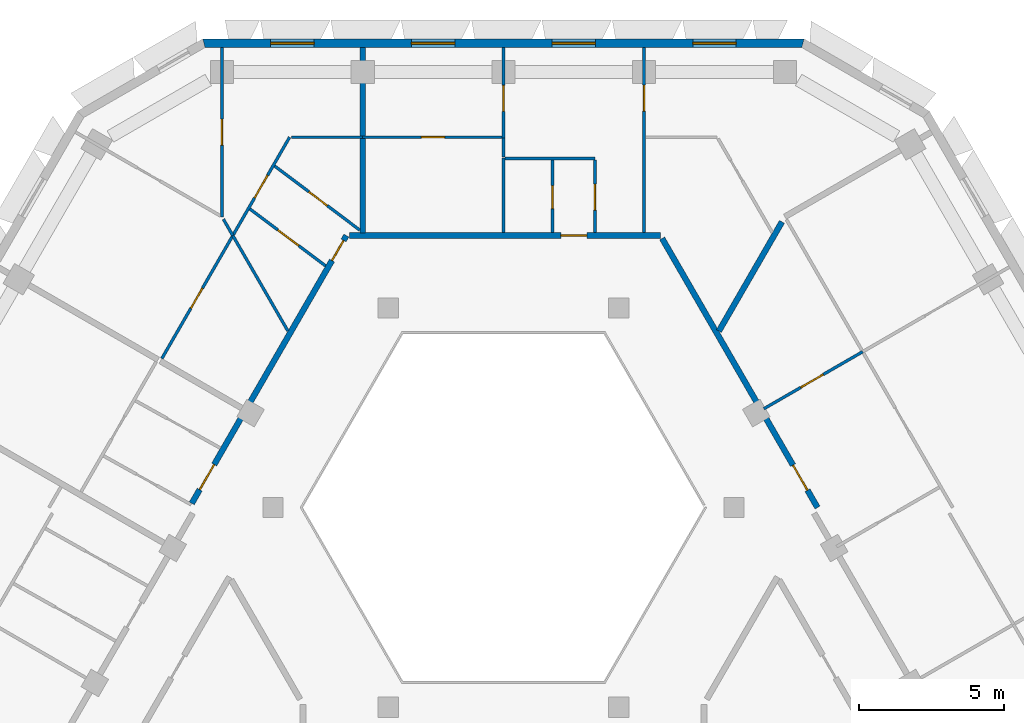
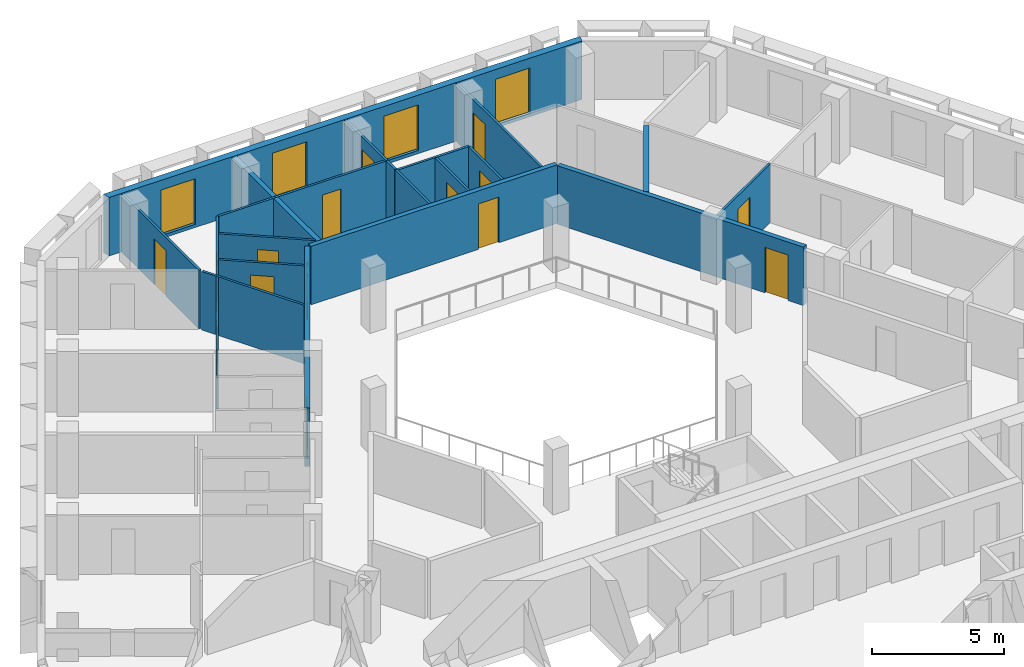
# One storey, part 7 of 15: 22 walls, 15 doors, 4 windows, 19 openings.
"""IFC4 building model written with IfcOpenShell, lengths in metres."""

from ifc_helpers import new_model, si_unit, direction, frame, frame_2d, origin, place, context, subcontext, project, spatial, polyline, rectangle, outline, extrude, material, layer, layer_set, type_object, element, fill, save


model = new_model("IFC4")

# Units and contexts
model_context = context("Model", 3, precision=1e-05, world=origin(), true_north=direction((0.0, 1.0)))
body_context = subcontext(model_context, "Body", "Model", "MODEL_VIEW")
ifc_project = project(units=[si_unit("LENGTHUNIT", "METRE"), si_unit("AREAUNIT", "SQUARE_METRE"), si_unit("VOLUMEUNIT", "CUBIC_METRE"), si_unit("PLANEANGLEUNIT", "RADIAN"), si_unit("MASSUNIT", "GRAM", prefix="KILO")], contexts=[model_context])

# Site, building, storey
site_placement = place(None, origin())
site = spatial("IfcSite", under=ifc_project, at=site_placement, CompositionType="ELEMENT")
building_placement = place(site_placement, origin())
building = spatial("IfcBuilding", under=site, at=building_placement, Name="Beryl Residences", CompositionType="ELEMENT")
storey_placement = place(building_placement, frame((0.0, 0.0, 175.199951171875)))
storey = spatial("IfcBuildingStorey", under=building, at=storey_placement, Name="L53", CompositionType="ELEMENT", Elevation=175.199951171875)

# Wall, openings, windows
ifc_material_1 = material(Name="Composite metal panel with mineral wool insulation")
ifc_layer_1 = layer(ifc_material_1, 0.300048828125)
ifc_layer_set_1 = layer_set([ifc_layer_1], Name="ES1 pale metal composite panel wall 300 mm")
wall_type_1 = type_object("IfcWallType", Name="ES1 pale metal composite panel wall 300 mm", PredefinedType="SOLIDWALL", material=ifc_layer_set_1)
wall_1_placement = place(storey_placement, frame((10.39208984375, 24.050048828125, 0.0), z_axis=(0.0, 0.0, 1.0), x_axis=(-1.0, 0.0, 0.0)))
wall_1 = element("IfcWall", 1, at=wall_1_placement, inside=storey, type_object=wall_type_1, Name="ES1 external wall L53 N", PredefinedType="SOLIDWALL", context=body_context, shape_type="SweptSolid", body=[
    extrude(outline(polyline([(0.0, -0.14990234375), (20.7841796875, -0.14990234375), (20.703857421875, 0.14990234375), (0.080322265625, 0.14990234375), (0.0, -0.14990234375)])), origin(), (0.0, 0.0, 1.0), 2.699951171875),
])
opening_1_placement = place(wall_1_placement, frame((2.345947265625, 0.0, 0.14990234375)))
opening_1 = element("IfcOpeningElement", 2, at=opening_1_placement, cuts=wall_1, Name="Opening W1", PredefinedType="OPENING", context=body_context, shape_type="SweptSolid", body=[
    extrude(rectangle(XDim=1.5, YDim=2.10009765625, at=frame_2d((0.75, 1.050048828125))), frame((0.0, 0.159912109375, 0.0), z_axis=(0.0, -1.0, 0.0), x_axis=(1.0, 0.0, 0.0)), (0.0, 0.0, 1.0), 0.320068359375),
])
opening_2_placement = place(wall_1_placement, frame((7.2099609375, 0.0, 0.14990234375)))
opening_2 = element("IfcOpeningElement", 3, at=opening_2_placement, cuts=wall_1, Name="Opening W1", PredefinedType="OPENING", context=body_context, shape_type="SweptSolid", body=[
    extrude(rectangle(XDim=1.5, YDim=2.10009765625, at=frame_2d((0.75, 1.050048828125))), frame((0.0, 0.159912109375, 0.0), z_axis=(0.0, -1.0, 0.0), x_axis=(1.0, 0.0, 0.0)), (0.0, 0.0, 1.0), 0.320068359375),
])
opening_3_placement = place(wall_1_placement, frame((12.073974609375, 0.0, 0.14990234375)))
opening_3 = element("IfcOpeningElement", 4, at=opening_3_placement, cuts=wall_1, Name="Opening W1", PredefinedType="OPENING", context=body_context, shape_type="SweptSolid", body=[
    extrude(rectangle(XDim=1.5, YDim=2.10009765625, at=frame_2d((0.75, 1.050048828125))), frame((0.0, 0.159912109375, 0.0), z_axis=(0.0, -1.0, 0.0), x_axis=(1.0, 0.0, 0.0)), (0.0, 0.0, 1.0), 0.320068359375),
])
opening_4_placement = place(wall_1_placement, frame((16.93798828125, 0.0, 0.14990234375)))
opening_4 = element("IfcOpeningElement", 5, at=opening_4_placement, cuts=wall_1, Name="Opening W1", PredefinedType="OPENING", context=body_context, shape_type="SweptSolid", body=[
    extrude(rectangle(XDim=1.5, YDim=2.10009765625, at=frame_2d((0.75, 1.050048828125))), frame((0.0, 0.159912109375, 0.0), z_axis=(0.0, -1.0, 0.0), x_axis=(1.0, 0.0, 0.0)), (0.0, 0.0, 1.0), 0.320068359375),
])
ifc_material_2 = material(Name="Aluminium and clear glass", Category="aluminium")
window_type = type_object("IfcWindowType", Name="W1 cell window 1500 x 2100 mm", PartitioningType="SINGLE_PANEL", PredefinedType="WINDOW", material=ifc_material_2)
window_1_placement = place(opening_1_placement, origin())
window_1 = element("IfcWindow", 6, at=window_1_placement, inside=storey, type_object=window_type, Name="W1 window L53 N 2", OverallHeight=2.10009765625, OverallWidth=1.5, PartitioningType="SINGLE_PANEL", PredefinedType="WINDOW", context=body_context, shape_type="SweptSolid", body=[
    extrude(rectangle(XDim=1.5, YDim=2.10009765625, at=frame_2d((0.75, 1.050048828125))), frame((0.0, 0.030029296875, 0.0), z_axis=(0.0, -1.0, 0.0), x_axis=(1.0, 0.0, 0.0)), (0.0, 0.0, 1.0), 0.06005859375),
])
fill(opening_1, window_1)
window_2_placement = place(opening_2_placement, origin())
window_2 = element("IfcWindow", 7, at=window_2_placement, inside=storey, type_object=window_type, Name="W1 window L53 N 4", OverallHeight=2.10009765625, OverallWidth=1.5, PartitioningType="SINGLE_PANEL", PredefinedType="WINDOW", context=body_context, shape_type="SweptSolid", body=[
    extrude(rectangle(XDim=1.5, YDim=2.10009765625, at=frame_2d((0.75, 1.050048828125))), frame((0.0, 0.030029296875, 0.0), z_axis=(0.0, -1.0, 0.0), x_axis=(1.0, 0.0, 0.0)), (0.0, 0.0, 1.0), 0.06005859375),
])
fill(opening_2, window_2)
window_3_placement = place(opening_3_placement, origin())
window_3 = element("IfcWindow", 8, at=window_3_placement, inside=storey, type_object=window_type, Name="W1 window L53 N 6", OverallHeight=2.10009765625, OverallWidth=1.5, PartitioningType="SINGLE_PANEL", PredefinedType="WINDOW", context=body_context, shape_type="SweptSolid", body=[
    extrude(rectangle(XDim=1.5, YDim=2.10009765625, at=frame_2d((0.75, 1.050048828125))), frame((0.0, 0.030029296875, 0.0), z_axis=(0.0, -1.0, 0.0), x_axis=(1.0, 0.0, 0.0)), (0.0, 0.0, 1.0), 0.06005859375),
])
fill(opening_3, window_3)
window_4_placement = place(opening_4_placement, origin())
window_4 = element("IfcWindow", 9, at=window_4_placement, inside=storey, type_object=window_type, Name="W1 window L53 N 8", OverallHeight=2.10009765625, OverallWidth=1.5, PartitioningType="SINGLE_PANEL", PredefinedType="WINDOW", context=body_context, shape_type="SweptSolid", body=[
    extrude(rectangle(XDim=1.5, YDim=2.10009765625, at=frame_2d((0.75, 1.050048828125))), frame((0.0, 0.030029296875, 0.0), z_axis=(0.0, -1.0, 0.0), x_axis=(1.0, 0.0, 0.0)), (0.0, 0.0, 1.0), 0.06005859375),
])
fill(opening_4, window_4)

# Walls
ifc_material_3 = material(Name="Gypsum board partition on steel studs", Category="steel")
ifc_layer_2 = layer(ifc_material_3, 0.10009765625)
ifc_layer_set_2 = layer_set([ifc_layer_2], Name="PT1 partition 100 mm gypsum board on steel studs")
wall_type_2 = type_object("IfcWallType", Name="PT1 partition 100 mm gypsum board on steel studs", PredefinedType="PARTITIONING", material=ifc_layer_set_2)
wall_2_placement = place(storey_placement, frame((-9.677978515625, 17.964111328125, 0.0), z_axis=(0.0, 0.0, 1.0), x_axis=(0.500208928872, -0.865904745036, 0.0)))
element("IfcWall", 10, at=wall_2_placement, inside=storey, type_object=wall_type_2, Name="Wall PT1 L53 001", PredefinedType="PARTITIONING", context=body_context, shape_type="SweptSolid", body=[
    extrude(rectangle(XDim=0.651611328125, YDim=0.10009765625, at=frame_2d((0.32568359375, 0.0))), origin(), (0.0, 0.0, 1.0), 2.699951171875),
])
wall_3_placement = place(storey_placement, frame((0.0, 20.76904296875, 0.0), z_axis=(0.0, 0.0, 1.0), x_axis=(0.0, -1.0, 0.0)))
element("IfcWall", 11, at=wall_3_placement, inside=storey, type_object=wall_type_2, Name="Wall PT1 L53 006", PredefinedType="PARTITIONING", context=body_context, shape_type="SweptSolid", body=[
    extrude(rectangle(XDim=0.658935546875, YDim=0.10009765625, at=frame_2d((0.32958984375, 0.0))), origin(), (0.0, 0.0, 1.0), 2.699951171875),
])

# Wall, opening, door
wall_4_placement = place(storey_placement, frame((3.162109375, 20.009033203125, 0.0), z_axis=(0.0, 0.0, 1.0), x_axis=(0.0, -1.0, 0.0)))
wall_4 = element("IfcWall", 12, at=wall_4_placement, inside=storey, type_object=wall_type_2, Name="Wall PT1 L53 007", PredefinedType="PARTITIONING", context=body_context, shape_type="SweptSolid", body=[
    extrude(rectangle(XDim=2.509033203125, YDim=0.10009765625, at=frame_2d((1.25439453125, 0.0))), origin(), (0.0, 0.0, 1.0), 2.699951171875),
])
opening_5_placement = place(wall_4_placement, frame((0.8291015625, 0.0, 0.0)))
opening_5 = element("IfcOpeningElement", 13, at=opening_5_placement, cuts=wall_4, Name="Opening D1625", PredefinedType="OPENING", context=body_context, shape_type="SweptSolid", body=[
    extrude(rectangle(XDim=0.89990234375, YDim=2.10009765625, at=frame_2d((0.449951171875, 1.050048828125))), frame((0.0, 0.06005859375, 0.0), z_axis=(0.0, -1.0, 0.0), x_axis=(1.0, 0.0, 0.0)), (0.0, 0.0, 1.0), 0.1201171875),
])
ifc_material_4 = material(Name="Timber door leaf", Category="wood")
door_type_1 = type_object("IfcDoorType", Name="D2 room door 900 x 2100 mm", OperationType="SINGLE_SWING_LEFT", PredefinedType="DOOR", material=ifc_material_4)
door_1_placement = place(opening_5_placement, origin())
door_1 = element("IfcDoor", 14, at=door_1_placement, inside=storey, type_object=door_type_1, Name="Door D1625 L53 001", OperationType="SINGLE_SWING_LEFT", OverallHeight=2.10009765625, OverallWidth=0.89990234375, PredefinedType="DOOR", context=body_context, shape_type="SweptSolid", body=[
    extrude(rectangle(XDim=0.89990234375, YDim=2.10009765625, at=frame_2d((0.449951171875, 1.050048828125))), frame((0.0, 0.02490234375, 0.0), z_axis=(0.0, -1.0, 0.0), x_axis=(1.0, 0.0, 0.0)), (0.0, 0.0, 1.0), 0.050048828125),
])
fill(opening_5, door_1)

wall_5_placement = place(storey_placement, frame((-8.762939453125, 18.321044921875, 0.0), z_axis=(0.0, 0.0, 1.0), x_axis=(0.798861914713, -0.601514456369, 0.0)))
wall_5 = element("IfcWall", 15, at=wall_5_placement, inside=storey, type_object=wall_type_2, Name="Wall PT1 L53 015", PredefinedType="PARTITIONING", context=body_context, shape_type="SweptSolid", body=[
    extrude(rectangle(XDim=3.2734375, YDim=0.10009765625, at=frame_2d((1.63671875, 0.0))), origin(), (0.0, 0.0, 1.0), 2.699951171875),
])
opening_6_placement = place(wall_5_placement, frame((1.2119140625, 0.0, 0.0)))
opening_6 = element("IfcOpeningElement", 16, at=opening_6_placement, cuts=wall_5, Name="Opening D1633", PredefinedType="OPENING", context=body_context, shape_type="SweptSolid", body=[
    extrude(rectangle(XDim=0.89990234375, YDim=2.10009765625, at=frame_2d((0.449951171875, 1.050048828125))), frame((0.0, 0.06005859375, 0.0), z_axis=(0.0, -1.0, 0.0), x_axis=(1.0, 0.0, 0.0)), (0.0, 0.0, 1.0), 0.1201171875),
])
door_2_placement = place(opening_6_placement, origin())
door_2 = element("IfcDoor", 17, at=door_2_placement, inside=storey, type_object=door_type_1, Name="Door D1633 L53 001", OperationType="SINGLE_SWING_LEFT", OverallHeight=2.10009765625, OverallWidth=0.89990234375, PredefinedType="DOOR", context=body_context, shape_type="SweptSolid", body=[
    extrude(rectangle(XDim=0.89990234375, YDim=2.10009765625, at=frame_2d((0.449951171875, 1.050048828125))), frame((0.0, 0.02490234375, 0.0), z_axis=(0.0, -1.0, 0.0), x_axis=(1.0, 0.0, 0.0)), (0.0, 0.0, 1.0), 0.050048828125),
])
fill(opening_6, door_2)

wall_6_placement = place(storey_placement, frame((-7.906005859375, 19.803955078125, 0.0), z_axis=(0.0, 0.0, 1.0), x_axis=(0.798741470056, -0.60167438371, 0.0)))
wall_6 = element("IfcWall", 18, at=wall_6_placement, inside=storey, type_object=wall_type_2, Name="Wall PT1 L53 016", PredefinedType="PARTITIONING", context=body_context, shape_type="SweptSolid", body=[
    extrude(rectangle(XDim=3.68310546875, YDim=0.10009765625, at=frame_2d((1.841552734375, 0.0))), origin(), (0.0, 0.0, 1.0), 2.699951171875),
])
opening_7_placement = place(wall_6_placement, frame((1.47900390625, 0.0, 0.0)))
opening_7 = element("IfcOpeningElement", 19, at=opening_7_placement, cuts=wall_6, Name="Opening D1632", PredefinedType="OPENING", context=body_context, shape_type="SweptSolid", body=[
    extrude(rectangle(XDim=0.800048828125, YDim=2.10009765625, at=frame_2d((0.39990234375, 1.050048828125))), frame((0.0, 0.06005859375, 0.0), z_axis=(0.0, -1.0, 0.0), x_axis=(1.0, 0.0, 0.0)), (0.0, 0.0, 1.0), 0.1201171875),
])
ifc_material_5 = material(Name="Timber door leaf", Category="wood")
door_type_2 = type_object("IfcDoorType", Name="D3 bathroom door 800 x 2100 mm", OperationType="SINGLE_SWING_LEFT", PredefinedType="DOOR", material=ifc_material_5)
door_3_placement = place(opening_7_placement, origin())
door_3 = element("IfcDoor", 20, at=door_3_placement, inside=storey, type_object=door_type_2, Name="Door D1632 L53 001", OperationType="SINGLE_SWING_RIGHT", OverallHeight=2.10009765625, OverallWidth=0.800048828125, PredefinedType="DOOR", context=body_context, shape_type="SweptSolid", body=[
    extrude(rectangle(XDim=0.800048828125, YDim=2.10009765625, at=frame_2d((0.39990234375, 1.050048828125))), frame((0.0, 0.02490234375, 0.0), z_axis=(0.0, -1.0, 0.0), x_axis=(1.0, 0.0, 0.0)), (0.0, 0.0, 1.0), 0.050048828125),
])
fill(opening_7, door_3)

# Walls
wall_7_placement = place(storey_placement, frame((0.050048828125, 20.06005859375, 0.0), z_axis=(0.0, 0.0, 1.0), x_axis=(1.0, 0.0, 0.0)))
element("IfcWall", 21, at=wall_7_placement, inside=storey, type_object=wall_type_2, Name="Wall PT1 L53 022", PredefinedType="PARTITIONING", context=body_context, shape_type="SweptSolid", body=[
    extrude(rectangle(XDim=3.11083984375, YDim=0.10009765625, at=frame_2d((1.555419921875, 0.0))), origin(), (0.0, 0.0, 1.0), 2.699951171875),
])
wall_8_placement = place(storey_placement, frame((-7.33203125, 20.799072265625, 0.0), z_axis=(0.0, 0.0, 1.0), x_axis=(1.0, 0.0, 0.0)))
element("IfcWall", 22, at=wall_8_placement, inside=storey, type_object=wall_type_2, Name="Wall PT1 L53 023", PredefinedType="PARTITIONING", context=body_context, shape_type="SweptSolid", body=[
    extrude(rectangle(XDim=2.468017578125, YDim=0.10009765625, at=frame_2d((1.23388671875, 0.0))), origin(), (0.0, 0.0, 1.0), 2.699951171875),
])

# Wall, openings, doors
wall_9_placement = place(storey_placement, frame((-11.805908203125, 13.14892578125, 0.0), z_axis=(0.0, 0.0, 1.0), x_axis=(0.499932199895, 0.866064544655, 0.0)))
wall_9 = element("IfcWall", 23, at=wall_9_placement, inside=storey, type_object=wall_type_2, Name="Wall PT1 L53 026", PredefinedType="PARTITIONING", context=body_context, shape_type="SweptSolid", body=[
    extrude(rectangle(XDim=8.833251953125, YDim=0.10009765625, at=frame_2d((4.41650390625, 0.0))), origin(), (0.0, 0.0, 1.0), 2.699951171875),
])
opening_8_placement = place(wall_9_placement, frame((6.4130859375, 0.0, 0.0)))
opening_8 = element("IfcOpeningElement", 24, at=opening_8_placement, cuts=wall_9, Name="Opening D1634", PredefinedType="OPENING", context=body_context, shape_type="SweptSolid", body=[
    extrude(rectangle(XDim=0.89990234375, YDim=2.10009765625, at=frame_2d((0.449951171875, 1.050048828125))), frame((0.0, 0.06005859375, 0.0), z_axis=(0.0, -1.0, 0.0), x_axis=(1.0, 0.0, 0.0)), (0.0, 0.0, 1.0), 0.1201171875),
])
opening_9_placement = place(wall_9_placement, frame((2.00390625, 0.0, 0.0)))
opening_9 = element("IfcOpeningElement", 25, at=opening_9_placement, cuts=wall_9, Name="Opening D1637", PredefinedType="OPENING", context=body_context, shape_type="SweptSolid", body=[
    extrude(rectangle(XDim=0.800048828125, YDim=2.10009765625, at=frame_2d((0.39990234375, 1.050048828125))), frame((0.0, 0.06005859375, 0.0), z_axis=(0.0, -1.0, 0.0), x_axis=(1.0, 0.0, 0.0)), (0.0, 0.0, 1.0), 0.1201171875),
])
door_4_placement = place(opening_8_placement, origin())
door_4 = element("IfcDoor", 26, at=door_4_placement, inside=storey, type_object=door_type_1, Name="Door D1634 L53 001", OperationType="SINGLE_SWING_RIGHT", OverallHeight=2.10009765625, OverallWidth=0.89990234375, PredefinedType="DOOR", context=body_context, shape_type="SweptSolid", body=[
    extrude(rectangle(XDim=0.89990234375, YDim=2.10009765625, at=frame_2d((0.449951171875, 1.050048828125))), frame((0.0, 0.02490234375, 0.0), z_axis=(0.0, -1.0, 0.0), x_axis=(1.0, 0.0, 0.0)), (0.0, 0.0, 1.0), 0.050048828125),
])
fill(opening_8, door_4)
door_5_placement = place(opening_9_placement, origin())
door_5 = element("IfcDoor", 27, at=door_5_placement, inside=storey, type_object=door_type_2, Name="Door D1637 L53 001", OperationType="SINGLE_SWING_LEFT", OverallHeight=2.10009765625, OverallWidth=0.800048828125, PredefinedType="DOOR", context=body_context, shape_type="SweptSolid", body=[
    extrude(rectangle(XDim=0.800048828125, YDim=2.10009765625, at=frame_2d((0.39990234375, 1.050048828125))), frame((0.0, 0.02490234375, 0.0), z_axis=(0.0, -1.0, 0.0), x_axis=(1.0, 0.0, 0.0)), (0.0, 0.0, 1.0), 0.050048828125),
])
fill(opening_9, door_5)

# Wall, opening, door
wall_10_placement = place(storey_placement, frame((4.864013671875, 17.5, 0.0), z_axis=(0.0, 0.0, 1.0), x_axis=(0.0, 1.0, 0.0)))
wall_10 = element("IfcWall", 28, at=wall_10_placement, inside=storey, type_object=wall_type_2, Name="Wall PT1 L53 031", PredefinedType="PARTITIONING", context=body_context, shape_type="SweptSolid", body=[
    extrude(rectangle(XDim=6.39990234375, YDim=0.10009765625, at=frame_2d((3.199951171875, 0.0))), origin(), (0.0, 0.0, 1.0), 2.699951171875),
])
opening_10_placement = place(wall_10_placement, frame((4.199951171875, 0.0, 0.0)))
opening_10 = element("IfcOpeningElement", 29, at=opening_10_placement, cuts=wall_10, Name="Opening D1628", PredefinedType="OPENING", context=body_context, shape_type="SweptSolid", body=[
    extrude(rectangle(XDim=0.89990234375, YDim=2.10009765625, at=frame_2d((0.449951171875, 1.050048828125))), frame((0.0, 0.06005859375, 0.0), z_axis=(0.0, -1.0, 0.0), x_axis=(1.0, 0.0, 0.0)), (0.0, 0.0, 1.0), 0.1201171875),
])
door_6_placement = place(opening_10_placement, origin())
door_6 = element("IfcDoor", 30, at=door_6_placement, inside=storey, type_object=door_type_1, Name="Door D1628 L53 001", OperationType="SINGLE_SWING_RIGHT", OverallHeight=2.10009765625, OverallWidth=0.89990234375, PredefinedType="DOOR", context=body_context, shape_type="SweptSolid", body=[
    extrude(rectangle(XDim=0.89990234375, YDim=2.10009765625, at=frame_2d((0.449951171875, 1.050048828125))), frame((0.0, 0.02490234375, 0.0), z_axis=(0.0, -1.0, 0.0), x_axis=(1.0, 0.0, 0.0)), (0.0, 0.0, 1.0), 0.050048828125),
])
fill(opening_10, door_6)

wall_11_placement = place(storey_placement, frame((1.701904296875, 17.5, 0.0), z_axis=(0.0, 0.0, 1.0), x_axis=(0.0, 1.0, 0.0)))
wall_11 = element("IfcWall", 31, at=wall_11_placement, inside=storey, type_object=wall_type_2, Name="Wall PT1 L53 032", PredefinedType="PARTITIONING", context=body_context, shape_type="SweptSolid", body=[
    extrude(rectangle(XDim=2.510009765625, YDim=0.10009765625, at=frame_2d((1.2548828125, 0.0))), origin(), (0.0, 0.0, 1.0), 2.699951171875),
])
opening_11_placement = place(wall_11_placement, frame((0.830078125, 0.0, 0.0)))
opening_11 = element("IfcOpeningElement", 32, at=opening_11_placement, cuts=wall_11, Name="Opening D1626", PredefinedType="OPENING", context=body_context, shape_type="SweptSolid", body=[
    extrude(rectangle(XDim=0.800048828125, YDim=2.10009765625, at=frame_2d((0.39990234375, 1.050048828125))), frame((0.0, 0.06005859375, 0.0), z_axis=(0.0, -1.0, 0.0), x_axis=(1.0, 0.0, 0.0)), (0.0, 0.0, 1.0), 0.1201171875),
])
door_7_placement = place(opening_11_placement, origin())
door_7 = element("IfcDoor", 33, at=door_7_placement, inside=storey, type_object=door_type_2, Name="Door D1626 L53 001", OperationType="SINGLE_SWING_RIGHT", OverallHeight=2.10009765625, OverallWidth=0.800048828125, PredefinedType="DOOR", context=body_context, shape_type="SweptSolid", body=[
    extrude(rectangle(XDim=0.800048828125, YDim=2.10009765625, at=frame_2d((0.39990234375, 1.050048828125))), frame((0.0, 0.02490234375, 0.0), z_axis=(0.0, -1.0, 0.0), x_axis=(1.0, 0.0, 0.0)), (0.0, 0.0, 1.0), 0.050048828125),
])
fill(opening_11, door_7)

# Wall
wall_12_placement = place(storey_placement, frame((0.0, 17.5, 0.0), z_axis=(0.0, 0.0, 1.0), x_axis=(0.0, 1.0, 0.0)))
element("IfcWall", 34, at=wall_12_placement, inside=storey, type_object=wall_type_2, Name="Wall PT1 L53 036", PredefinedType="PARTITIONING", context=body_context, shape_type="SweptSolid", body=[
    extrude(rectangle(XDim=2.580078125, YDim=0.10009765625, at=frame_2d((1.2900390625, 0.0))), origin(), (0.0, 0.0, 1.0), 2.699951171875),
])

# Wall, opening, door
wall_13_placement = place(storey_placement, frame((0.0, 20.779052734375, 0.0), z_axis=(0.0, 0.0, 1.0), x_axis=(0.0, 1.0, 0.0)))
wall_13 = element("IfcWall", 35, at=wall_13_placement, inside=storey, type_object=wall_type_2, Name="Wall PT1 L53 037", PredefinedType="PARTITIONING", context=body_context, shape_type="SweptSolid", body=[
    extrude(rectangle(XDim=3.120849609375, YDim=0.10009765625, at=frame_2d((1.560546875, 0.0))), origin(), (0.0, 0.0, 1.0), 2.699951171875),
])
opening_12_placement = place(wall_13_placement, frame((0.909912109375, 0.0, 0.0)))
opening_12 = element("IfcOpeningElement", 36, at=opening_12_placement, cuts=wall_13, Name="Opening D1627", PredefinedType="OPENING", context=body_context, shape_type="SweptSolid", body=[
    extrude(rectangle(XDim=0.89990234375, YDim=2.10009765625, at=frame_2d((0.449951171875, 1.050048828125))), frame((0.0, 0.06005859375, 0.0), z_axis=(0.0, -1.0, 0.0), x_axis=(1.0, 0.0, 0.0)), (0.0, 0.0, 1.0), 0.1201171875),
])
door_8_placement = place(opening_12_placement, origin())
door_8 = element("IfcDoor", 37, at=door_8_placement, inside=storey, type_object=door_type_1, Name="Door D1627 L53 001", OperationType="SINGLE_SWING_LEFT", OverallHeight=2.10009765625, OverallWidth=0.89990234375, PredefinedType="DOOR", context=body_context, shape_type="SweptSolid", body=[
    extrude(rectangle(XDim=0.89990234375, YDim=2.10009765625, at=frame_2d((0.449951171875, 1.050048828125))), frame((0.0, 0.02490234375, 0.0), z_axis=(0.0, -1.0, 0.0), x_axis=(1.0, 0.0, 0.0)), (0.0, 0.0, 1.0), 0.050048828125),
])
fill(opening_12, door_8)

wall_14_placement = place(storey_placement, frame((-9.72802734375, 18.050048828125, 0.0), z_axis=(0.0, 0.0, 1.0), x_axis=(0.0, 1.0, 0.0)))
wall_14 = element("IfcWall", 38, at=wall_14_placement, inside=storey, type_object=wall_type_2, Name="Wall PT1 L53 038", PredefinedType="PARTITIONING", context=body_context, shape_type="SweptSolid", body=[
    extrude(rectangle(XDim=5.849853515625, YDim=0.10009765625, at=frame_2d((2.9248046875, 0.0))), origin(), (0.0, 0.0, 1.0), 2.699951171875),
])
opening_13_placement = place(wall_14_placement, frame((2.47509765625, 0.0, 0.0)))
opening_13 = element("IfcOpeningElement", 39, at=opening_13_placement, cuts=wall_14, Name="Opening D1635", PredefinedType="OPENING", context=body_context, shape_type="SweptSolid", body=[
    extrude(rectangle(XDim=0.89990234375, YDim=2.10009765625, at=frame_2d((0.449951171875, 1.050048828125))), frame((0.0, 0.06005859375, 0.0), z_axis=(0.0, -1.0, 0.0), x_axis=(1.0, 0.0, 0.0)), (0.0, 0.0, 1.0), 0.1201171875),
])
door_9_placement = place(opening_13_placement, origin())
door_9 = element("IfcDoor", 40, at=door_9_placement, inside=storey, type_object=door_type_1, Name="Door D1635 L53 001", OperationType="SINGLE_SWING_LEFT", OverallHeight=2.10009765625, OverallWidth=0.89990234375, PredefinedType="DOOR", context=body_context, shape_type="SweptSolid", body=[
    extrude(rectangle(XDim=0.89990234375, YDim=2.10009765625, at=frame_2d((0.449951171875, 1.050048828125))), frame((0.0, 0.02490234375, 0.0), z_axis=(0.0, -1.0, 0.0), x_axis=(1.0, 0.0, 0.0)), (0.0, 0.0, 1.0), 0.050048828125),
])
fill(opening_13, door_9)

wall_15_placement = place(storey_placement, frame((8.9990234375, 11.4130859375, 0.0), z_axis=(0.0, 0.0, 1.0), x_axis=(0.866076396086, 0.499911668341, 0.0)))
wall_15 = element("IfcWall", 41, at=wall_15_placement, inside=storey, type_object=wall_type_2, Name="Wall PT1 L53 042", PredefinedType="PARTITIONING", context=body_context, shape_type="SweptSolid", body=[
    extrude(rectangle(XDim=3.946533203125, YDim=0.10009765625, at=frame_2d((1.97314453125, 0.0))), origin(), (0.0, 0.0, 1.0), 2.699951171875),
])
opening_14_placement = place(wall_15_placement, frame((1.47412109375, 0.0, 0.0)))
opening_14 = element("IfcOpeningElement", 42, at=opening_14_placement, cuts=wall_15, Name="Opening D1618", PredefinedType="OPENING", context=body_context, shape_type="SweptSolid", body=[
    extrude(rectangle(XDim=0.89990234375, YDim=2.10009765625, at=frame_2d((0.449951171875, 1.050048828125))), frame((0.0, 0.06005859375, 0.0), z_axis=(0.0, -1.0, 0.0), x_axis=(1.0, 0.0, 0.0)), (0.0, 0.0, 1.0), 0.1201171875),
])
door_10_placement = place(opening_14_placement, origin())
door_10 = element("IfcDoor", 43, at=door_10_placement, inside=storey, type_object=door_type_1, Name="Door D1618 L53 001", OperationType="SINGLE_SWING_RIGHT", OverallHeight=2.10009765625, OverallWidth=0.89990234375, PredefinedType="DOOR", context=body_context, shape_type="SweptSolid", body=[
    extrude(rectangle(XDim=0.89990234375, YDim=2.10009765625, at=frame_2d((0.449951171875, 1.050048828125))), frame((0.0, 0.02490234375, 0.0), z_axis=(0.0, -1.0, 0.0), x_axis=(1.0, 0.0, 0.0)), (0.0, 0.0, 1.0), 0.050048828125),
])
fill(opening_14, door_10)

# Wall
wall_16_placement = place(storey_placement, frame((-9.35205078125, 17.39990234375, 0.0), z_axis=(0.0, 0.0, 1.0), x_axis=(0.499785326313, -0.866149310225, 0.0)))
element("IfcWall", 44, at=wall_16_placement, inside=storey, type_object=wall_type_2, Name="Wall PT1 L53 043", PredefinedType="PARTITIONING", context=body_context, shape_type="SweptSolid", body=[
    extrude(rectangle(XDim=3.809814453125, YDim=0.10009765625, at=frame_2d((1.90478515625, 0.0))), origin(), (0.0, 0.0, 1.0), 2.699951171875),
])

# Wall, opening, door
wall_17_placement = place(storey_placement, frame((-4.864013671875, 20.799072265625, 0.0), z_axis=(0.0, 0.0, 1.0), x_axis=(1.0, 0.0, 0.0)))
wall_17 = element("IfcWall", 45, at=wall_17_placement, inside=storey, type_object=wall_type_2, Name="Wall PT1 L53 047", PredefinedType="PARTITIONING", context=body_context, shape_type="SweptSolid", body=[
    extrude(rectangle(XDim=4.81396484375, YDim=0.10009765625, at=frame_2d((2.406982421875, 0.0))), origin(), (0.0, 0.0, 1.0), 2.699951171875),
])
opening_15_placement = place(wall_17_placement, frame((2.031982421875, 0.0, 0.0)))
opening_15 = element("IfcOpeningElement", 46, at=opening_15_placement, cuts=wall_17, Name="Opening D1630", PredefinedType="OPENING", context=body_context, shape_type="SweptSolid", body=[
    extrude(rectangle(XDim=0.800048828125, YDim=2.10009765625, at=frame_2d((0.39990234375, 1.050048828125))), frame((0.0, 0.06005859375, 0.0), z_axis=(0.0, -1.0, 0.0), x_axis=(1.0, 0.0, 0.0)), (0.0, 0.0, 1.0), 0.1201171875),
])
door_11_placement = place(opening_15_placement, origin())
door_11 = element("IfcDoor", 47, at=door_11_placement, inside=storey, type_object=door_type_2, Name="Door D1630 L53 001", OperationType="SINGLE_SWING_RIGHT", OverallHeight=2.10009765625, OverallWidth=0.800048828125, PredefinedType="DOOR", context=body_context, shape_type="SweptSolid", body=[
    extrude(rectangle(XDim=0.800048828125, YDim=2.10009765625, at=frame_2d((0.39990234375, 1.050048828125))), frame((0.0, 0.02490234375, 0.0), z_axis=(0.0, -1.0, 0.0), x_axis=(1.0, 0.0, 0.0)), (0.0, 0.0, 1.0), 0.050048828125),
])
fill(opening_15, door_11)

# Walls
ifc_material_6 = material(Name="Acoustic double stud gypsum board wall")
ifc_layer_3 = layer(ifc_material_6, 0.199951171875)
ifc_layer_set_3 = layer_set([ifc_layer_3], Name="PT3 party wall 200 mm acoustic double stud")
wall_type_3 = type_object("IfcWallType", Name="PT3 party wall 200 mm acoustic double stud", PredefinedType="PARTITIONING", material=ifc_layer_set_3)
wall_18_placement = place(storey_placement, frame((7.447998046875, 14.10009765625, 0.0), z_axis=(0.0, 0.0, 1.0), x_axis=(0.500013426303, 0.866017651966, 0.0)))
element("IfcWall", 48, at=wall_18_placement, inside=storey, type_object=wall_type_3, Name="Wall PT3 L53 008", PredefinedType="PARTITIONING", context=body_context, shape_type="SweptSolid", body=[
    extrude(rectangle(XDim=4.35791015625, YDim=0.199951171875, at=frame_2d((2.178955078125, 0.0))), origin(), (0.0, 0.0, 1.0), 2.699951171875),
])
wall_19_placement = place(storey_placement, frame((-4.864013671875, 17.492919921875, 0.0), z_axis=(0.0, 0.0, 1.0), x_axis=(0.0, 1.0, 0.0)))
element("IfcWall", 49, at=wall_19_placement, inside=storey, type_object=wall_type_3, Name="Wall PT3 L53 009", PredefinedType="PARTITIONING", context=body_context, shape_type="SweptSolid", body=[
    extrude(rectangle(XDim=6.406982421875, YDim=0.199951171875, at=frame_2d((3.20361328125, 0.0))), origin(), (0.0, 0.0, 1.0), 2.699951171875),
])

# Wall, opening, door
ifc_material_7 = material(Name="Double stud gypsum board wall")
ifc_layer_4 = layer(ifc_material_7, 0.199951171875)
ifc_layer_set_4 = layer_set([ifc_layer_4], Name="PT4 corridor wall 200 mm double stud")
wall_type_4 = type_object("IfcWallType", Name="PT4 corridor wall 200 mm double stud", PredefinedType="PARTITIONING", material=ifc_layer_set_4)
wall_20_placement = place(storey_placement, frame((5.485107421875, 17.300048828125, 0.0), z_axis=(0.0, 0.0, 1.0), x_axis=(0.499965832213, -0.866045129667, 0.0)))
wall_20 = element("IfcWall", 50, at=wall_20_placement, inside=storey, type_object=wall_type_4, Name="Wall PT4 L53 006", PredefinedType="PARTITIONING", context=body_context, shape_type="SweptSolid", body=[
    extrude(rectangle(XDim=10.738525390625, YDim=0.199951171875, at=frame_2d((5.369140625, 0.0))), origin(), (0.0, 0.0, 1.0), 2.699951171875),
])
opening_16_placement = place(wall_20_placement, frame((9.047119140625, 0.0, 0.0)))
opening_16 = element("IfcOpeningElement", 51, at=opening_16_placement, cuts=wall_20, Name="Opening D1615", PredefinedType="OPENING", context=body_context, shape_type="SweptSolid", body=[
    extrude(rectangle(XDim=1.0, YDim=2.10009765625, at=frame_2d((0.5, 1.050048828125))), frame((0.0, 0.10986328125, 0.0), z_axis=(0.0, -1.0, 0.0), x_axis=(1.0, 0.0, 0.0)), (0.0, 0.0, 1.0), 0.219970703125),
])
ifc_material_8 = material(Name="Timber door leaf", Category="wood")
door_type_3 = type_object("IfcDoorType", Name="D1 flat entrance door 1000 x 2100 mm", OperationType="SINGLE_SWING_LEFT", PredefinedType="DOOR", material=ifc_material_8)
door_12_placement = place(opening_16_placement, origin())
door_12 = element("IfcDoor", 52, at=door_12_placement, inside=storey, type_object=door_type_3, Name="Door D1615 L53 001", OperationType="SINGLE_SWING_LEFT", OverallHeight=2.10009765625, OverallWidth=1.0, PredefinedType="DOOR", context=body_context, shape_type="SweptSolid", body=[
    extrude(rectangle(XDim=1.0, YDim=2.10009765625, at=frame_2d((0.5, 1.050048828125))), frame((0.0, 0.02490234375, 0.0), z_axis=(0.0, -1.0, 0.0), x_axis=(1.0, 0.0, 0.0)), (0.0, 0.0, 1.0), 0.050048828125),
])
fill(opening_16, door_12)

wall_21_placement = place(storey_placement, frame((-5.31201171875, 17.39990234375, 0.0), z_axis=(0.0, 0.0, 1.0), x_axis=(1.0, 0.0, 0.0)))
wall_21 = element("IfcWall", 53, at=wall_21_placement, inside=storey, type_object=wall_type_4, Name="Wall PT4 L53 014", PredefinedType="PARTITIONING", context=body_context, shape_type="SweptSolid", body=[
    extrude(rectangle(XDim=10.738037109375, YDim=0.199951171875, at=frame_2d((5.369140625, 0.0))), origin(), (0.0, 0.0, 1.0), 2.699951171875),
])
opening_17_placement = place(wall_21_placement, frame((7.2939453125, 0.0, 0.0)))
opening_17 = element("IfcOpeningElement", 54, at=opening_17_placement, cuts=wall_21, Name="Opening D1624", PredefinedType="OPENING", context=body_context, shape_type="SweptSolid", body=[
    extrude(rectangle(XDim=0.89990234375, YDim=2.10009765625, at=frame_2d((0.449951171875, 1.050048828125))), frame((0.0, 0.10986328125, 0.0), z_axis=(0.0, -1.0, 0.0), x_axis=(1.0, 0.0, 0.0)), (0.0, 0.0, 1.0), 0.219970703125),
])
ifc_material_9 = material(Name="Timber door leaf", Category="wood")
door_type_4 = type_object("IfcDoorType", Name="D11 flat entrance door 900 x 2100 mm", OperationType="SINGLE_SWING_LEFT", PredefinedType="DOOR", material=ifc_material_9)
door_13_placement = place(opening_17_placement, origin())
door_13 = element("IfcDoor", 55, at=door_13_placement, inside=storey, type_object=door_type_4, Name="Door D1624 L53 001", OperationType="SINGLE_SWING_RIGHT", OverallHeight=2.10009765625, OverallWidth=0.89990234375, PredefinedType="DOOR", context=body_context, shape_type="SweptSolid", body=[
    extrude(rectangle(XDim=0.89990234375, YDim=2.10009765625, at=frame_2d((0.449951171875, 1.050048828125))), frame((0.0, 0.02490234375, 0.0), z_axis=(0.0, -1.0, 0.0), x_axis=(1.0, 0.0, 0.0)), (0.0, 0.0, 1.0), 0.050048828125),
])
fill(opening_17, door_13)

# Wall, openings, doors
wall_22_placement = place(storey_placement, frame((-10.77099609375, 8.14404296875, 0.0), z_axis=(0.0, 0.0, 1.0), x_axis=(0.500008507724, 0.866020491792, 0.0)))
wall_22 = element("IfcWall", 56, at=wall_22_placement, inside=storey, type_object=wall_type_4, Name="Wall PT4 L53 020", PredefinedType="PARTITIONING", context=body_context, shape_type="SweptSolid", body=[
    extrude(rectangle(XDim=10.687744140625, YDim=0.199951171875, at=frame_2d((5.34375, 0.0))), origin(), (0.0, 0.0, 1.0), 2.699951171875),
])
opening_18_placement = place(wall_22_placement, frame((9.69189453125, 0.0, 0.0)))
opening_18 = element("IfcOpeningElement", 57, at=opening_18_placement, cuts=wall_22, Name="Opening D1631", PredefinedType="OPENING", context=body_context, shape_type="SweptSolid", body=[
    extrude(rectangle(XDim=0.800048828125, YDim=2.10009765625, at=frame_2d((0.39990234375, 1.050048828125))), frame((0.0, 0.10986328125, 0.0), z_axis=(0.0, -1.0, 0.0), x_axis=(1.0, 0.0, 0.0)), (0.0, 0.0, 1.0), 0.219970703125),
])
opening_19_placement = place(wall_22_placement, frame((0.549072265625, 0.0, 0.0)))
opening_19 = element("IfcOpeningElement", 58, at=opening_19_placement, cuts=wall_22, Name="Opening D1638", PredefinedType="OPENING", context=body_context, shape_type="SweptSolid", body=[
    extrude(rectangle(XDim=1.0, YDim=2.10009765625, at=frame_2d((0.5, 1.050048828125))), frame((0.0, 0.10986328125, 0.0), z_axis=(0.0, -1.0, 0.0), x_axis=(1.0, 0.0, 0.0)), (0.0, 0.0, 1.0), 0.219970703125),
])
door_14_placement = place(opening_19_placement, origin())
door_14 = element("IfcDoor", 59, at=door_14_placement, inside=storey, type_object=door_type_3, Name="Door D1638 L53 001", OperationType="SINGLE_SWING_RIGHT", OverallHeight=2.10009765625, OverallWidth=1.0, PredefinedType="DOOR", context=body_context, shape_type="SweptSolid", body=[
    extrude(rectangle(XDim=1.0, YDim=2.10009765625, at=frame_2d((0.5, 1.050048828125))), frame((0.0, 0.02490234375, 0.0), z_axis=(0.0, -1.0, 0.0), x_axis=(1.0, 0.0, 0.0)), (0.0, 0.0, 1.0), 0.050048828125),
])
fill(opening_19, door_14)
ifc_material_10 = material(Name="Timber door leaf", Category="wood")
door_type_5 = type_object("IfcDoorType", Name="D12 flat entrance door 800 x 2100 mm", OperationType="SINGLE_SWING_LEFT", PredefinedType="DOOR", material=ifc_material_10)
door_15_placement = place(opening_18_placement, origin())
door_15 = element("IfcDoor", 60, at=door_15_placement, inside=storey, type_object=door_type_5, Name="Door D1631 L53 001", OperationType="SINGLE_SWING_LEFT", OverallHeight=2.10009765625, OverallWidth=0.800048828125, PredefinedType="DOOR", context=body_context, shape_type="SweptSolid", body=[
    extrude(rectangle(XDim=0.800048828125, YDim=2.10009765625, at=frame_2d((0.39990234375, 1.050048828125))), frame((0.0, 0.02490234375, 0.0), z_axis=(0.0, -1.0, 0.0), x_axis=(1.0, 0.0, 0.0)), (0.0, 0.0, 1.0), 0.050048828125),
])
fill(opening_18, door_15)

save(model, "model.ifc")
